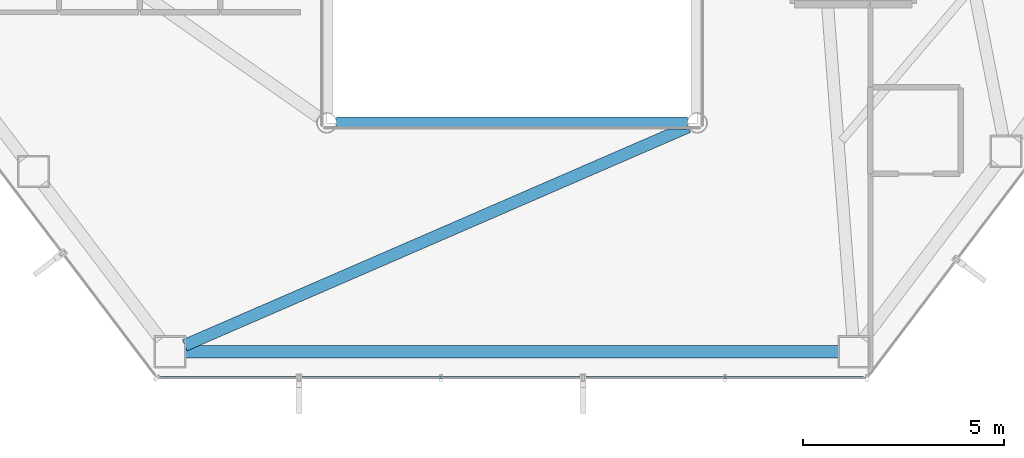
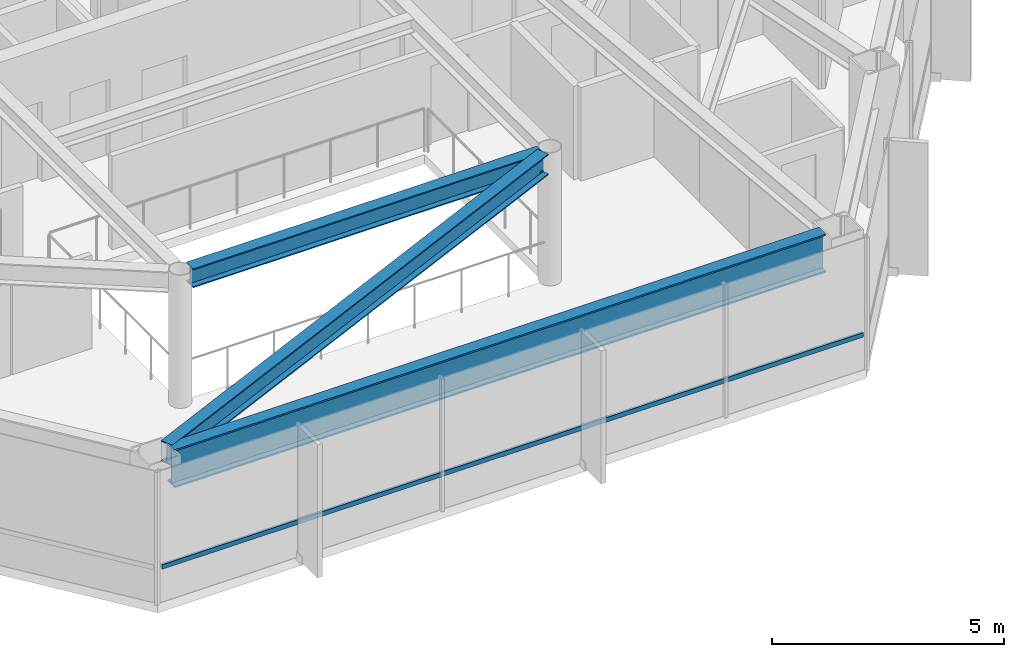
# One storey, part 7 of 28: 3 beams, 1 member, 1 element without a shape of its own.
"""IFC4 building model written with IfcOpenShell, lengths in metres."""

from ifc_helpers import new_model, si_unit, direction, frame, origin, origin_2d, place, context, subcontext, project, spatial, hollow_rectangle, i_section, extrude, material, layer, layer_set, material_profile, profile_set, type_object, element, aggregate, save


model = new_model("IFC4")

# Units and contexts
model_context = context("Model", 3, precision=1e-05, world=origin(), true_north=direction((0.0, 1.0)))
body_context = subcontext(model_context, "Body", "Model", "MODEL_VIEW")
ifc_project = project(units=[si_unit("LENGTHUNIT", "METRE"), si_unit("AREAUNIT", "SQUARE_METRE"), si_unit("VOLUMEUNIT", "CUBIC_METRE"), si_unit("PLANEANGLEUNIT", "RADIAN"), si_unit("MASSUNIT", "GRAM", prefix="KILO")], contexts=[model_context])

# Site, building, storey
site_placement = place(None, origin())
site = spatial("IfcSite", under=ifc_project, at=site_placement, CompositionType="ELEMENT")
building_placement = place(site_placement, origin())
building = spatial("IfcBuilding", under=site, at=building_placement, Name="Zarrinselat Tower", CompositionType="ELEMENT")
storey_placement = place(building_placement, frame((0.0, 0.0, 123.419921875)))
storey = spatial("IfcBuildingStorey", under=building, at=storey_placement, Name="L29", CompositionType="ELEMENT", Elevation=123.419921875)

# Beams
ifc_material_1 = material(Name="Steel S355J2", Category="steel")
ifc_material_profile_1 = material_profile(ifc_material_1, i_section(OverallWidth=0.300048828125, OverallDepth=0.5, WebThickness=0.014404296875, FlangeThickness=0.028076171875, at=origin_2d()), Name="HEB 500")
ifc_profile_set_1 = profile_set([ifc_material_profile_1], Name="Steel S355J2")
beam_type_1 = type_object("IfcBeamType", Name="BM-HEB500", PredefinedType="BEAM", material=ifc_profile_set_1)
beam_1_placement = place(storey_placement, frame((34.0400390625, 24.39990234375, 3.25), z_axis=(1.0, 0.0, 0.0), x_axis=(0.0, 1.0, 0.0)))
element("IfcBeam", 1, at=beam_1_placement, inside=storey, type_object=beam_type_1, Name="L29 Atrium Edge Beam S", PredefinedType="BEAM", context=body_context, shape_type="SweptSolid", body=[
    extrude(i_section(OverallWidth=0.300048828125, OverallDepth=0.5, WebThickness=0.014404296875, FlangeThickness=0.028076171875, at=origin_2d()), origin(), (0.0, 0.0, 1.0), 8.719970703125),
])
ifc_material_2 = material(Name="Steel S355J2", Category="steel")
ifc_material_profile_2 = material_profile(ifc_material_2, i_section(OverallWidth=0.300048828125, OverallDepth=0.550048828125, WebThickness=0.014892578125, FlangeThickness=0.029052734375, at=origin_2d()), Name="HEB 550")
ifc_profile_set_2 = profile_set([ifc_material_profile_2], Name="Steel S355J2")
beam_type_2 = type_object("IfcBeamType", Name="BM-HEB550", PredefinedType="BEAM", material=ifc_profile_set_2)
beam_2_placement = place(storey_placement, frame((30.27392578125, 18.87646484375, 3.22509765625), z_axis=(0.917320312977, 0.398150026245, 0.0), x_axis=(-0.398150026245, 0.917320312977, 0.0)))
element("IfcBeam", 2, at=beam_2_placement, inside=storey, type_object=beam_type_2, Name="L29 Radial Primary Girder RG10", PredefinedType="BEAM", context=body_context, shape_type="SweptSolid", body=[
    extrude(i_section(OverallWidth=0.300048828125, OverallDepth=0.550048828125, WebThickness=0.014892578125, FlangeThickness=0.029052734375, at=origin_2d()), origin(), (0.0, 0.0, 1.0), 13.623291015625),
])
ifc_material_3 = material(Name="Steel S460M", Category="steel")
ifc_material_profile_3 = material_profile(ifc_material_3, i_section(OverallWidth=0.302001953125, OverallDepth=1.008056640625, WebThickness=0.02099609375, FlangeThickness=0.0400390625, at=origin_2d()), Name="HEM 1000")
ifc_profile_set_3 = profile_set([ifc_material_profile_3], Name="Steel S460M")
beam_type_3 = type_object("IfcBeamType", Name="BM-HEM1000", PredefinedType="BEAM", material=ifc_profile_set_3)
beam_3_placement = place(storey_placement, frame((30.293212890625, 18.71630859375, 2.99609375), z_axis=(1.0, 0.0, 0.0), x_axis=(0.0, 1.0, 0.0)))
element("IfcBeam", 3, at=beam_3_placement, inside=storey, type_object=beam_type_3, Name="L29 Perimeter Spandrel Girder SP10", PredefinedType="BEAM", context=body_context, shape_type="SweptSolid", body=[
    extrude(i_section(OverallWidth=0.302001953125, OverallDepth=1.008056640625, WebThickness=0.02099609375, FlangeThickness=0.0400390625, at=origin_2d()), origin(), (0.0, 0.0, 1.0), 16.213623046875),
])

# Curtain wall, member
ifc_material_4 = material(Name="Extruded Aluminium Alloy EN AW-6063 T6", Category="aluminium")
ifc_layer = layer(ifc_material_4, 0.175048828125)
ifc_layer_set = layer_set([ifc_layer], Name="Extruded Aluminium Alloy EN AW-6063 T6")
curtain_wall_type = type_object("IfcCurtainWallType", Name="CWS-HTL", PredefinedType="NOTDEFINED", material=ifc_layer_set)
curtain_wall_placement = place(storey_placement, origin())
curtain_wall = element("IfcCurtainWall", 4, at=curtain_wall_placement, inside=storey, type_object=curtain_wall_type, Name="L29 Unitised Curtain Wall CW-L29-E04", PredefinedType="NOTDEFINED")
ifc_material_5 = material(Name="Extruded Aluminium Alloy EN AW-6063 T6", Category="aluminium")
ifc_material_profile_4 = material_profile(ifc_material_5, hollow_rectangle(XDim=0.06005859375, YDim=0.1201171875, WallThickness=0.00390625, at=origin_2d()), Name="RHS 120x60x4")
ifc_profile_set_4 = profile_set([ifc_material_profile_4], Name="Extruded Aluminium Alloy EN AW-6063 T6")
member_type = type_object("IfcMemberType", Name="MEM-CW-TRN2", PredefinedType="USERDEFINED", material=ifc_profile_set_4)
member_placement = place(storey_placement, frame((29.672119140625, 18.06640625, 0.9501953125), z_axis=(1.0, 0.0, 0.0), x_axis=(0.0, 1.0, 0.0)))
member = element("IfcMember", 5, at=member_placement, type_object=member_type, Name="CW-L29-E04 Transom 1", ObjectType="TRANSOM", PredefinedType="USERDEFINED", context=body_context, shape_type="SweptSolid", body=[
    extrude(hollow_rectangle(XDim=0.06005859375, YDim=0.1201171875, WallThickness=0.00390625, at=origin_2d()), origin(), (0.0, 0.0, 1.0), 17.455810546875),
])
aggregate(curtain_wall, [member])

save(model, "model.ifc")
